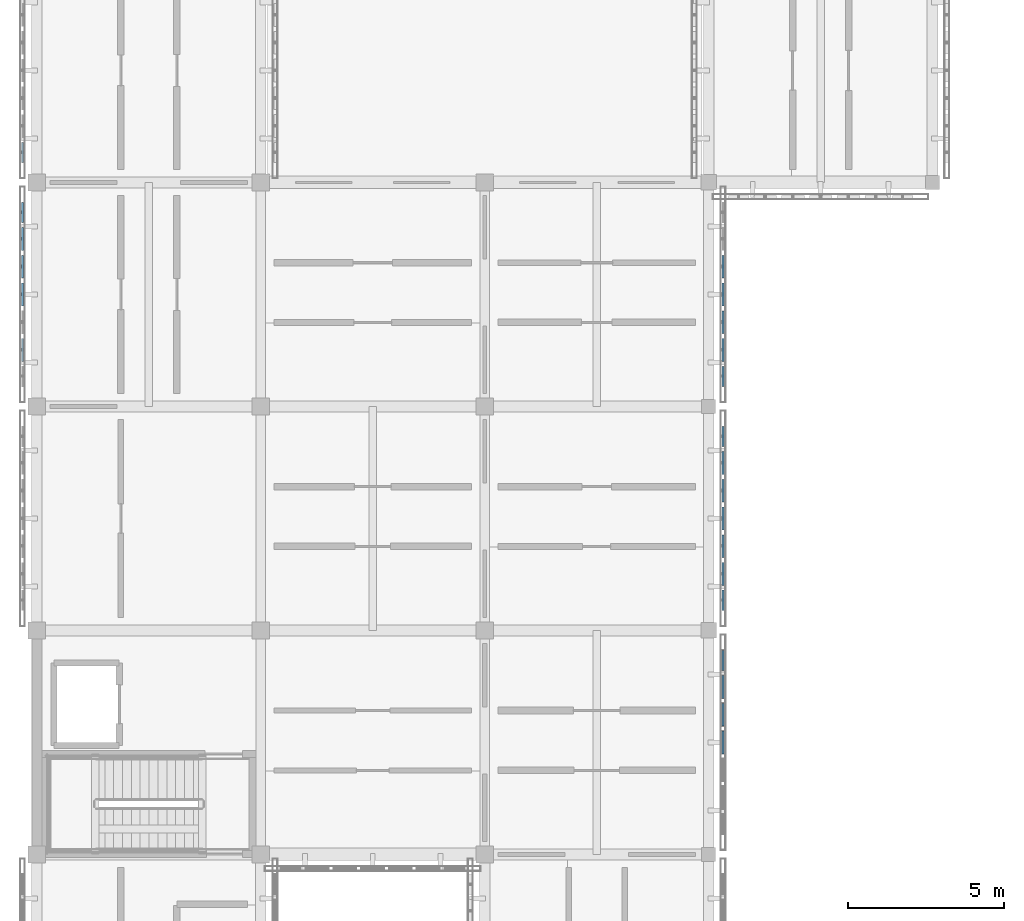
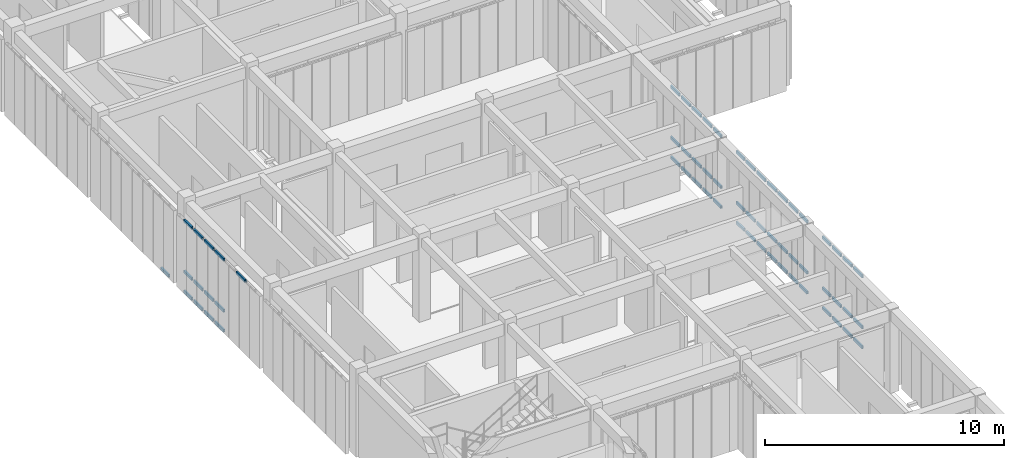
# One storey, part 21 of 91: 62 members, 5 elements without a shape of their own.
"""IFC4 building model written with IfcOpenShell, lengths in metres."""

from ifc_helpers import new_model, si_unit, direction, frame, origin, origin_2d, place, context, subcontext, project, spatial, hollow_rectangle, extrude, material, material_profile, profile_set, type_object, element, aggregate, save


model = new_model("IFC4")

# Units and contexts
model_context = context("Model", 3, precision=1e-05, world=origin(), true_north=direction((0.0, 1.0)))
body_context = subcontext(model_context, "Body", "Model", "MODEL_VIEW")
ifc_project = project(units=[si_unit("LENGTHUNIT", "METRE"), si_unit("AREAUNIT", "SQUARE_METRE"), si_unit("VOLUMEUNIT", "CUBIC_METRE"), si_unit("PLANEANGLEUNIT", "RADIAN"), si_unit("MASSUNIT", "GRAM", prefix="KILO")], contexts=[model_context])

# Site, building, storey
site_placement = place(None, origin())
site = spatial("IfcSite", under=ifc_project, at=site_placement, CompositionType="ELEMENT")
building_placement = place(site_placement, origin())
building = spatial("IfcBuilding", under=site, at=building_placement, Name="Aldebral Square Health Centre", CompositionType="ELEMENT")
storey_placement = place(building_placement, frame((0.0, 0.0, 9.0)))
storey = spatial("IfcBuildingStorey", under=building, at=storey_placement, Name="L02", CompositionType="ELEMENT", Elevation=9.0)

# Curtain wall, members
ifc_material_1 = material(Name="Aluminium and low-E solar glass", Category="aluminium")
curtain_wall_type = type_object("IfcCurtainWallType", Name="CW-FIN-SYS", PredefinedType="USERDEFINED", material=ifc_material_1)
curtain_wall_1_placement = place(storey_placement, origin())
curtain_wall_1 = element("IfcCurtainWall", 1, at=curtain_wall_1_placement, inside=storey, type_object=curtain_wall_type, Name="L02 V6 finned curtain wall L02-V6-00-06-W", ObjectType="SOLAR_CURTAIN_WALL", PredefinedType="USERDEFINED")
ifc_material_2 = material(Name="Anodised aluminium transom", Category="aluminium")
ifc_material_profile = material_profile(ifc_material_2, hollow_rectangle(XDim=0.074951171875, YDim=0.14990234375, WallThickness=0.00390625, at=origin_2d()), Name="CWT 75x150x4")
ifc_profile_set = profile_set([ifc_material_profile], Name="Anodised aluminium transom")
member_type = type_object("IfcMemberType", Name="CWT-STD", PredefinedType="USERDEFINED", material=ifc_profile_set)
member_1_placement = place(storey_placement, frame((-0.4599609375, 49.760009765625, 0.03759765625), z_axis=(0.0, -1.0, 0.0), x_axis=(1.0, 0.0, 0.0)))
member_1 = element("IfcMember", 2, at=member_1_placement, type_object=member_type, Name="CW1 transom 1.1", ObjectType="TRANSOM", PredefinedType="USERDEFINED", context=body_context, shape_type="SweptSolid", body=[
    extrude(hollow_rectangle(XDim=0.074951171875, YDim=0.14990234375, WallThickness=0.00390625, at=origin_2d()), origin(), (0.0, 0.0, 1.0), 0.6513671875),
])
member_2_placement = place(storey_placement, frame((-0.4599609375, 49.760009765625, 1.050048828125), z_axis=(0.0, -1.0, 0.0), x_axis=(1.0, 0.0, 0.0)))
member_2 = element("IfcMember", 3, at=member_2_placement, type_object=member_type, Name="CW1 transom 1.2", ObjectType="TRANSOM", PredefinedType="USERDEFINED", context=body_context, shape_type="SweptSolid", body=[
    extrude(hollow_rectangle(XDim=0.074951171875, YDim=0.14990234375, WallThickness=0.00390625, at=origin_2d()), origin(), (0.0, 0.0, 1.0), 0.6513671875),
])
member_3_placement = place(storey_placement, frame((-0.4599609375, 49.760009765625, 3.652587890625), z_axis=(0.0, -1.0, 0.0), x_axis=(1.0, 0.0, 0.0)))
member_3 = element("IfcMember", 4, at=member_3_placement, type_object=member_type, Name="CW1 transom 1.3", ObjectType="TRANSOM", PredefinedType="USERDEFINED", context=body_context, shape_type="SweptSolid", body=[
    extrude(hollow_rectangle(XDim=0.074951171875, YDim=0.14990234375, WallThickness=0.00390625, at=origin_2d()), origin(), (0.0, 0.0, 1.0), 0.6513671875),
])
member_4_placement = place(storey_placement, frame((-0.4599609375, 48.948486328125, 0.03759765625), z_axis=(0.0, -1.0, 0.0), x_axis=(1.0, 0.0, 0.0)))
member_4 = element("IfcMember", 5, at=member_4_placement, type_object=member_type, Name="CW1 transom 2.1", ObjectType="TRANSOM", PredefinedType="USERDEFINED", context=body_context, shape_type="SweptSolid", body=[
    extrude(hollow_rectangle(XDim=0.074951171875, YDim=0.14990234375, WallThickness=0.00390625, at=origin_2d()), origin(), (0.0, 0.0, 1.0), 0.7314453125),
])
member_5_placement = place(storey_placement, frame((-0.4599609375, 48.948486328125, 1.050048828125), z_axis=(0.0, -1.0, 0.0), x_axis=(1.0, 0.0, 0.0)))
member_5 = element("IfcMember", 6, at=member_5_placement, type_object=member_type, Name="CW1 transom 2.2", ObjectType="TRANSOM", PredefinedType="USERDEFINED", context=body_context, shape_type="SweptSolid", body=[
    extrude(hollow_rectangle(XDim=0.074951171875, YDim=0.14990234375, WallThickness=0.00390625, at=origin_2d()), origin(), (0.0, 0.0, 1.0), 0.7314453125),
])
member_6_placement = place(storey_placement, frame((-0.4599609375, 48.948486328125, 3.652587890625), z_axis=(0.0, -1.0, 0.0), x_axis=(1.0, 0.0, 0.0)))
member_6 = element("IfcMember", 7, at=member_6_placement, type_object=member_type, Name="CW1 transom 2.3", ObjectType="TRANSOM", PredefinedType="USERDEFINED", context=body_context, shape_type="SweptSolid", body=[
    extrude(hollow_rectangle(XDim=0.074951171875, YDim=0.14990234375, WallThickness=0.00390625, at=origin_2d()), origin(), (0.0, 0.0, 1.0), 0.7314453125),
])
member_7_placement = place(storey_placement, frame((-0.4599609375, 48.05712890625, 0.03759765625), z_axis=(0.0, -1.0, 0.0), x_axis=(1.0, 0.0, 0.0)))
member_7 = element("IfcMember", 8, at=member_7_placement, type_object=member_type, Name="CW1 transom 3.1", ObjectType="TRANSOM", PredefinedType="USERDEFINED", context=body_context, shape_type="SweptSolid", body=[
    extrude(hollow_rectangle(XDim=0.074951171875, YDim=0.14990234375, WallThickness=0.00390625, at=origin_2d()), origin(), (0.0, 0.0, 1.0), 0.7314453125),
])
member_8_placement = place(storey_placement, frame((-0.4599609375, 48.05712890625, 1.050048828125), z_axis=(0.0, -1.0, 0.0), x_axis=(1.0, 0.0, 0.0)))
member_8 = element("IfcMember", 9, at=member_8_placement, type_object=member_type, Name="CW1 transom 3.2", ObjectType="TRANSOM", PredefinedType="USERDEFINED", context=body_context, shape_type="SweptSolid", body=[
    extrude(hollow_rectangle(XDim=0.074951171875, YDim=0.14990234375, WallThickness=0.00390625, at=origin_2d()), origin(), (0.0, 0.0, 1.0), 0.7314453125),
])
member_9_placement = place(storey_placement, frame((-0.4599609375, 48.05712890625, 3.652587890625), z_axis=(0.0, -1.0, 0.0), x_axis=(1.0, 0.0, 0.0)))
member_9 = element("IfcMember", 10, at=member_9_placement, type_object=member_type, Name="CW1 transom 3.3", ObjectType="TRANSOM", PredefinedType="USERDEFINED", context=body_context, shape_type="SweptSolid", body=[
    extrude(hollow_rectangle(XDim=0.074951171875, YDim=0.14990234375, WallThickness=0.00390625, at=origin_2d()), origin(), (0.0, 0.0, 1.0), 0.7314453125),
])
member_10_placement = place(storey_placement, frame((-0.4599609375, 47.165771484375, 0.03759765625), z_axis=(0.0, -1.0, 0.0), x_axis=(1.0, 0.0, 0.0)))
member_10 = element("IfcMember", 11, at=member_10_placement, type_object=member_type, Name="CW1 transom 4.1", ObjectType="TRANSOM", PredefinedType="USERDEFINED", context=body_context, shape_type="SweptSolid", body=[
    extrude(hollow_rectangle(XDim=0.074951171875, YDim=0.14990234375, WallThickness=0.00390625, at=origin_2d()), origin(), (0.0, 0.0, 1.0), 0.7314453125),
])
member_11_placement = place(storey_placement, frame((-0.4599609375, 47.165771484375, 1.050048828125), z_axis=(0.0, -1.0, 0.0), x_axis=(1.0, 0.0, 0.0)))
member_11 = element("IfcMember", 12, at=member_11_placement, type_object=member_type, Name="CW1 transom 4.2", ObjectType="TRANSOM", PredefinedType="USERDEFINED", context=body_context, shape_type="SweptSolid", body=[
    extrude(hollow_rectangle(XDim=0.074951171875, YDim=0.14990234375, WallThickness=0.00390625, at=origin_2d()), origin(), (0.0, 0.0, 1.0), 0.7314453125),
])
member_12_placement = place(storey_placement, frame((-0.4599609375, 47.165771484375, 3.652587890625), z_axis=(0.0, -1.0, 0.0), x_axis=(1.0, 0.0, 0.0)))
member_12 = element("IfcMember", 13, at=member_12_placement, type_object=member_type, Name="CW1 transom 4.3", ObjectType="TRANSOM", PredefinedType="USERDEFINED", context=body_context, shape_type="SweptSolid", body=[
    extrude(hollow_rectangle(XDim=0.074951171875, YDim=0.14990234375, WallThickness=0.00390625, at=origin_2d()), origin(), (0.0, 0.0, 1.0), 0.7314453125),
])
member_13_placement = place(storey_placement, frame((-0.4599609375, 45.3828125, 3.652587890625), z_axis=(0.0, -1.0, 0.0), x_axis=(1.0, 0.0, 0.0)))
member_13 = element("IfcMember", 14, at=member_13_placement, type_object=member_type, Name="CW1 transom 6.3", ObjectType="TRANSOM", PredefinedType="USERDEFINED", context=body_context, shape_type="SweptSolid", body=[
    extrude(hollow_rectangle(XDim=0.074951171875, YDim=0.14990234375, WallThickness=0.00390625, at=origin_2d()), origin(), (0.0, 0.0, 1.0), 0.7314453125),
])
aggregate(curtain_wall_1, [member_1, member_2, member_3, member_4, member_5, member_6, member_7, member_8, member_9, member_10, member_11, member_12, member_13])

# Curtain wall, member
curtain_wall_2_placement = place(storey_placement, origin())
curtain_wall_2 = element("IfcCurtainWall", 15, at=curtain_wall_2_placement, inside=storey, type_object=curtain_wall_type, Name="L02 V4 finned curtain wall L02-V4-00-07-W", ObjectType="SOLAR_CURTAIN_WALL", PredefinedType="USERDEFINED")
member_14_placement = place(storey_placement, frame((-0.4599609375, 51.69140625, 0.03759765625), z_axis=(0.0, -1.0, 0.0), x_axis=(1.0, 0.0, 0.0)))
member_14 = element("IfcMember", 16, at=member_14_placement, type_object=member_type, Name="CW1 transom 7.1", ObjectType="TRANSOM", PredefinedType="USERDEFINED", context=body_context, shape_type="SweptSolid", body=[
    extrude(hollow_rectangle(XDim=0.074951171875, YDim=0.14990234375, WallThickness=0.00390625, at=origin_2d()), origin(), (0.0, 0.0, 1.0), 0.6513671875),
])
aggregate(curtain_wall_2, [member_14])

# Curtain wall, members
curtain_wall_3_placement = place(storey_placement, origin())
curtain_wall_3 = element("IfcCurtainWall", 17, at=curtain_wall_3_placement, inside=storey, type_object=curtain_wall_type, Name="L02 V6 finned curtain wall L02-V6-02-04-E", ObjectType="SOLAR_CURTAIN_WALL", PredefinedType="USERDEFINED")
member_15_placement = place(storey_placement, frame((22.06005859375, 32.0341796875, 0.03759765625), z_axis=(0.0, 1.0, 0.0), x_axis=(-1.0, 0.0, 0.0)))
member_15 = element("IfcMember", 18, at=member_15_placement, type_object=member_type, Name="CW1 transom 4.1", ObjectType="TRANSOM", PredefinedType="USERDEFINED", context=body_context, shape_type="SweptSolid", body=[
    extrude(hollow_rectangle(XDim=0.074951171875, YDim=0.14990234375, WallThickness=0.00390625, at=origin_2d()), origin(), (0.0, 0.0, 1.0), 0.7314453125),
])
member_16_placement = place(storey_placement, frame((22.06005859375, 32.0341796875, 1.050048828125), z_axis=(0.0, 1.0, 0.0), x_axis=(-1.0, 0.0, 0.0)))
member_16 = element("IfcMember", 19, at=member_16_placement, type_object=member_type, Name="CW1 transom 4.2", ObjectType="TRANSOM", PredefinedType="USERDEFINED", context=body_context, shape_type="SweptSolid", body=[
    extrude(hollow_rectangle(XDim=0.074951171875, YDim=0.14990234375, WallThickness=0.00390625, at=origin_2d()), origin(), (0.0, 0.0, 1.0), 0.7314453125),
])
member_17_placement = place(storey_placement, frame((22.06005859375, 32.0341796875, 3.652587890625), z_axis=(0.0, 1.0, 0.0), x_axis=(-1.0, 0.0, 0.0)))
member_17 = element("IfcMember", 20, at=member_17_placement, type_object=member_type, Name="CW1 transom 4.3", ObjectType="TRANSOM", PredefinedType="USERDEFINED", context=body_context, shape_type="SweptSolid", body=[
    extrude(hollow_rectangle(XDim=0.074951171875, YDim=0.14990234375, WallThickness=0.00390625, at=origin_2d()), origin(), (0.0, 0.0, 1.0), 0.7314453125),
])
member_18_placement = place(storey_placement, frame((22.06005859375, 32.92578125, 0.03759765625), z_axis=(0.0, 1.0, 0.0), x_axis=(-1.0, 0.0, 0.0)))
member_18 = element("IfcMember", 21, at=member_18_placement, type_object=member_type, Name="CW1 transom 5.1", ObjectType="TRANSOM", PredefinedType="USERDEFINED", context=body_context, shape_type="SweptSolid", body=[
    extrude(hollow_rectangle(XDim=0.074951171875, YDim=0.14990234375, WallThickness=0.00390625, at=origin_2d()), origin(), (0.0, 0.0, 1.0), 0.7314453125),
])
member_19_placement = place(storey_placement, frame((22.06005859375, 32.92578125, 1.050048828125), z_axis=(0.0, 1.0, 0.0), x_axis=(-1.0, 0.0, 0.0)))
member_19 = element("IfcMember", 22, at=member_19_placement, type_object=member_type, Name="CW1 transom 5.2", ObjectType="TRANSOM", PredefinedType="USERDEFINED", context=body_context, shape_type="SweptSolid", body=[
    extrude(hollow_rectangle(XDim=0.074951171875, YDim=0.14990234375, WallThickness=0.00390625, at=origin_2d()), origin(), (0.0, 0.0, 1.0), 0.7314453125),
])
member_20_placement = place(storey_placement, frame((22.06005859375, 32.92578125, 3.652587890625), z_axis=(0.0, 1.0, 0.0), x_axis=(-1.0, 0.0, 0.0)))
member_20 = element("IfcMember", 23, at=member_20_placement, type_object=member_type, Name="CW1 transom 5.3", ObjectType="TRANSOM", PredefinedType="USERDEFINED", context=body_context, shape_type="SweptSolid", body=[
    extrude(hollow_rectangle(XDim=0.074951171875, YDim=0.14990234375, WallThickness=0.00390625, at=origin_2d()), origin(), (0.0, 0.0, 1.0), 0.7314453125),
])
member_21_placement = place(storey_placement, frame((22.06005859375, 33.817138671875, 0.03759765625), z_axis=(0.0, 1.0, 0.0), x_axis=(-1.0, 0.0, 0.0)))
member_21 = element("IfcMember", 24, at=member_21_placement, type_object=member_type, Name="CW1 transom 6.1", ObjectType="TRANSOM", PredefinedType="USERDEFINED", context=body_context, shape_type="SweptSolid", body=[
    extrude(hollow_rectangle(XDim=0.074951171875, YDim=0.14990234375, WallThickness=0.00390625, at=origin_2d()), origin(), (0.0, 0.0, 1.0), 0.7314453125),
])
member_22_placement = place(storey_placement, frame((22.06005859375, 33.817138671875, 1.050048828125), z_axis=(0.0, 1.0, 0.0), x_axis=(-1.0, 0.0, 0.0)))
member_22 = element("IfcMember", 25, at=member_22_placement, type_object=member_type, Name="CW1 transom 6.2", ObjectType="TRANSOM", PredefinedType="USERDEFINED", context=body_context, shape_type="SweptSolid", body=[
    extrude(hollow_rectangle(XDim=0.074951171875, YDim=0.14990234375, WallThickness=0.00390625, at=origin_2d()), origin(), (0.0, 0.0, 1.0), 0.7314453125),
])
member_23_placement = place(storey_placement, frame((22.06005859375, 33.817138671875, 3.652587890625), z_axis=(0.0, 1.0, 0.0), x_axis=(-1.0, 0.0, 0.0)))
member_23 = element("IfcMember", 26, at=member_23_placement, type_object=member_type, Name="CW1 transom 6.3", ObjectType="TRANSOM", PredefinedType="USERDEFINED", context=body_context, shape_type="SweptSolid", body=[
    extrude(hollow_rectangle(XDim=0.074951171875, YDim=0.14990234375, WallThickness=0.00390625, at=origin_2d()), origin(), (0.0, 0.0, 1.0), 0.7314453125),
])
member_24_placement = place(storey_placement, frame((22.06005859375, 34.70849609375, 0.03759765625), z_axis=(0.0, 1.0, 0.0), x_axis=(-1.0, 0.0, 0.0)))
member_24 = element("IfcMember", 27, at=member_24_placement, type_object=member_type, Name="CW1 transom 7.1", ObjectType="TRANSOM", PredefinedType="USERDEFINED", context=body_context, shape_type="SweptSolid", body=[
    extrude(hollow_rectangle(XDim=0.074951171875, YDim=0.14990234375, WallThickness=0.00390625, at=origin_2d()), origin(), (0.0, 0.0, 1.0), 0.651611328125),
])
member_25_placement = place(storey_placement, frame((22.06005859375, 34.70849609375, 1.050048828125), z_axis=(0.0, 1.0, 0.0), x_axis=(-1.0, 0.0, 0.0)))
member_25 = element("IfcMember", 28, at=member_25_placement, type_object=member_type, Name="CW1 transom 7.2", ObjectType="TRANSOM", PredefinedType="USERDEFINED", context=body_context, shape_type="SweptSolid", body=[
    extrude(hollow_rectangle(XDim=0.074951171875, YDim=0.14990234375, WallThickness=0.00390625, at=origin_2d()), origin(), (0.0, 0.0, 1.0), 0.651611328125),
])
member_26_placement = place(storey_placement, frame((22.06005859375, 34.70849609375, 3.652587890625), z_axis=(0.0, 1.0, 0.0), x_axis=(-1.0, 0.0, 0.0)))
member_26 = element("IfcMember", 29, at=member_26_placement, type_object=member_type, Name="CW1 transom 7.3", ObjectType="TRANSOM", PredefinedType="USERDEFINED", context=body_context, shape_type="SweptSolid", body=[
    extrude(hollow_rectangle(XDim=0.074951171875, YDim=0.14990234375, WallThickness=0.00390625, at=origin_2d()), origin(), (0.0, 0.0, 1.0), 0.651611328125),
])
aggregate(curtain_wall_3, [member_15, member_16, member_17, member_18, member_19, member_20, member_21, member_22, member_23, member_24, member_25, member_26])

curtain_wall_4_placement = place(storey_placement, origin())
curtain_wall_4 = element("IfcCurtainWall", 30, at=curtain_wall_4_placement, inside=storey, type_object=curtain_wall_type, Name="L02 V6 finned curtain wall L02-V6-02-05-E", ObjectType="SOLAR_CURTAIN_WALL", PredefinedType="USERDEFINED")
member_27_placement = place(storey_placement, frame((22.06005859375, 36.639892578125, 0.03759765625), z_axis=(0.0, 1.0, 0.0), x_axis=(-1.0, 0.0, 0.0)))
member_27 = element("IfcMember", 31, at=member_27_placement, type_object=member_type, Name="CW1 transom 1.1", ObjectType="TRANSOM", PredefinedType="USERDEFINED", context=body_context, shape_type="SweptSolid", body=[
    extrude(hollow_rectangle(XDim=0.074951171875, YDim=0.14990234375, WallThickness=0.00390625, at=origin_2d()), origin(), (0.0, 0.0, 1.0), 0.651611328125),
])
member_28_placement = place(storey_placement, frame((22.06005859375, 36.639892578125, 1.050048828125), z_axis=(0.0, 1.0, 0.0), x_axis=(-1.0, 0.0, 0.0)))
member_28 = element("IfcMember", 32, at=member_28_placement, type_object=member_type, Name="CW1 transom 1.2", ObjectType="TRANSOM", PredefinedType="USERDEFINED", context=body_context, shape_type="SweptSolid", body=[
    extrude(hollow_rectangle(XDim=0.074951171875, YDim=0.14990234375, WallThickness=0.00390625, at=origin_2d()), origin(), (0.0, 0.0, 1.0), 0.651611328125),
])
member_29_placement = place(storey_placement, frame((22.06005859375, 36.639892578125, 3.652587890625), z_axis=(0.0, 1.0, 0.0), x_axis=(-1.0, 0.0, 0.0)))
member_29 = element("IfcMember", 33, at=member_29_placement, type_object=member_type, Name="CW1 transom 1.3", ObjectType="TRANSOM", PredefinedType="USERDEFINED", context=body_context, shape_type="SweptSolid", body=[
    extrude(hollow_rectangle(XDim=0.074951171875, YDim=0.14990234375, WallThickness=0.00390625, at=origin_2d()), origin(), (0.0, 0.0, 1.0), 0.651611328125),
])
member_30_placement = place(storey_placement, frame((22.06005859375, 37.451416015625, 0.03759765625), z_axis=(0.0, 1.0, 0.0), x_axis=(-1.0, 0.0, 0.0)))
member_30 = element("IfcMember", 34, at=member_30_placement, type_object=member_type, Name="CW1 transom 2.1", ObjectType="TRANSOM", PredefinedType="USERDEFINED", context=body_context, shape_type="SweptSolid", body=[
    extrude(hollow_rectangle(XDim=0.074951171875, YDim=0.14990234375, WallThickness=0.00390625, at=origin_2d()), origin(), (0.0, 0.0, 1.0), 0.7314453125),
])
member_31_placement = place(storey_placement, frame((22.06005859375, 37.451416015625, 1.050048828125), z_axis=(0.0, 1.0, 0.0), x_axis=(-1.0, 0.0, 0.0)))
member_31 = element("IfcMember", 35, at=member_31_placement, type_object=member_type, Name="CW1 transom 2.2", ObjectType="TRANSOM", PredefinedType="USERDEFINED", context=body_context, shape_type="SweptSolid", body=[
    extrude(hollow_rectangle(XDim=0.074951171875, YDim=0.14990234375, WallThickness=0.00390625, at=origin_2d()), origin(), (0.0, 0.0, 1.0), 0.7314453125),
])
member_32_placement = place(storey_placement, frame((22.06005859375, 37.451416015625, 3.652587890625), z_axis=(0.0, 1.0, 0.0), x_axis=(-1.0, 0.0, 0.0)))
member_32 = element("IfcMember", 36, at=member_32_placement, type_object=member_type, Name="CW1 transom 2.3", ObjectType="TRANSOM", PredefinedType="USERDEFINED", context=body_context, shape_type="SweptSolid", body=[
    extrude(hollow_rectangle(XDim=0.074951171875, YDim=0.14990234375, WallThickness=0.00390625, at=origin_2d()), origin(), (0.0, 0.0, 1.0), 0.7314453125),
])
member_33_placement = place(storey_placement, frame((22.06005859375, 38.3427734375, 0.03759765625), z_axis=(0.0, 1.0, 0.0), x_axis=(-1.0, 0.0, 0.0)))
member_33 = element("IfcMember", 37, at=member_33_placement, type_object=member_type, Name="CW1 transom 3.1", ObjectType="TRANSOM", PredefinedType="USERDEFINED", context=body_context, shape_type="SweptSolid", body=[
    extrude(hollow_rectangle(XDim=0.074951171875, YDim=0.14990234375, WallThickness=0.00390625, at=origin_2d()), origin(), (0.0, 0.0, 1.0), 0.7314453125),
])
member_34_placement = place(storey_placement, frame((22.06005859375, 38.3427734375, 1.050048828125), z_axis=(0.0, 1.0, 0.0), x_axis=(-1.0, 0.0, 0.0)))
member_34 = element("IfcMember", 38, at=member_34_placement, type_object=member_type, Name="CW1 transom 3.2", ObjectType="TRANSOM", PredefinedType="USERDEFINED", context=body_context, shape_type="SweptSolid", body=[
    extrude(hollow_rectangle(XDim=0.074951171875, YDim=0.14990234375, WallThickness=0.00390625, at=origin_2d()), origin(), (0.0, 0.0, 1.0), 0.7314453125),
])
member_35_placement = place(storey_placement, frame((22.06005859375, 38.3427734375, 3.652587890625), z_axis=(0.0, 1.0, 0.0), x_axis=(-1.0, 0.0, 0.0)))
member_35 = element("IfcMember", 39, at=member_35_placement, type_object=member_type, Name="CW1 transom 3.3", ObjectType="TRANSOM", PredefinedType="USERDEFINED", context=body_context, shape_type="SweptSolid", body=[
    extrude(hollow_rectangle(XDim=0.074951171875, YDim=0.14990234375, WallThickness=0.00390625, at=origin_2d()), origin(), (0.0, 0.0, 1.0), 0.7314453125),
])
member_36_placement = place(storey_placement, frame((22.06005859375, 39.234375, 0.03759765625), z_axis=(0.0, 1.0, 0.0), x_axis=(-1.0, 0.0, 0.0)))
member_36 = element("IfcMember", 40, at=member_36_placement, type_object=member_type, Name="CW1 transom 4.1", ObjectType="TRANSOM", PredefinedType="USERDEFINED", context=body_context, shape_type="SweptSolid", body=[
    extrude(hollow_rectangle(XDim=0.074951171875, YDim=0.14990234375, WallThickness=0.00390625, at=origin_2d()), origin(), (0.0, 0.0, 1.0), 0.7314453125),
])
member_37_placement = place(storey_placement, frame((22.06005859375, 39.234375, 1.050048828125), z_axis=(0.0, 1.0, 0.0), x_axis=(-1.0, 0.0, 0.0)))
member_37 = element("IfcMember", 41, at=member_37_placement, type_object=member_type, Name="CW1 transom 4.2", ObjectType="TRANSOM", PredefinedType="USERDEFINED", context=body_context, shape_type="SweptSolid", body=[
    extrude(hollow_rectangle(XDim=0.074951171875, YDim=0.14990234375, WallThickness=0.00390625, at=origin_2d()), origin(), (0.0, 0.0, 1.0), 0.7314453125),
])
member_38_placement = place(storey_placement, frame((22.06005859375, 39.234375, 3.652587890625), z_axis=(0.0, 1.0, 0.0), x_axis=(-1.0, 0.0, 0.0)))
member_38 = element("IfcMember", 42, at=member_38_placement, type_object=member_type, Name="CW1 transom 4.3", ObjectType="TRANSOM", PredefinedType="USERDEFINED", context=body_context, shape_type="SweptSolid", body=[
    extrude(hollow_rectangle(XDim=0.074951171875, YDim=0.14990234375, WallThickness=0.00390625, at=origin_2d()), origin(), (0.0, 0.0, 1.0), 0.7314453125),
])
member_39_placement = place(storey_placement, frame((22.06005859375, 40.125732421875, 0.03759765625), z_axis=(0.0, 1.0, 0.0), x_axis=(-1.0, 0.0, 0.0)))
member_39 = element("IfcMember", 43, at=member_39_placement, type_object=member_type, Name="CW1 transom 5.1", ObjectType="TRANSOM", PredefinedType="USERDEFINED", context=body_context, shape_type="SweptSolid", body=[
    extrude(hollow_rectangle(XDim=0.074951171875, YDim=0.14990234375, WallThickness=0.00390625, at=origin_2d()), origin(), (0.0, 0.0, 1.0), 0.7314453125),
])
member_40_placement = place(storey_placement, frame((22.06005859375, 40.125732421875, 1.050048828125), z_axis=(0.0, 1.0, 0.0), x_axis=(-1.0, 0.0, 0.0)))
member_40 = element("IfcMember", 44, at=member_40_placement, type_object=member_type, Name="CW1 transom 5.2", ObjectType="TRANSOM", PredefinedType="USERDEFINED", context=body_context, shape_type="SweptSolid", body=[
    extrude(hollow_rectangle(XDim=0.074951171875, YDim=0.14990234375, WallThickness=0.00390625, at=origin_2d()), origin(), (0.0, 0.0, 1.0), 0.7314453125),
])
member_41_placement = place(storey_placement, frame((22.06005859375, 40.125732421875, 3.652587890625), z_axis=(0.0, 1.0, 0.0), x_axis=(-1.0, 0.0, 0.0)))
member_41 = element("IfcMember", 45, at=member_41_placement, type_object=member_type, Name="CW1 transom 5.3", ObjectType="TRANSOM", PredefinedType="USERDEFINED", context=body_context, shape_type="SweptSolid", body=[
    extrude(hollow_rectangle(XDim=0.074951171875, YDim=0.14990234375, WallThickness=0.00390625, at=origin_2d()), origin(), (0.0, 0.0, 1.0), 0.7314453125),
])
member_42_placement = place(storey_placement, frame((22.06005859375, 41.01708984375, 0.03759765625), z_axis=(0.0, 1.0, 0.0), x_axis=(-1.0, 0.0, 0.0)))
member_42 = element("IfcMember", 46, at=member_42_placement, type_object=member_type, Name="CW1 transom 6.1", ObjectType="TRANSOM", PredefinedType="USERDEFINED", context=body_context, shape_type="SweptSolid", body=[
    extrude(hollow_rectangle(XDim=0.074951171875, YDim=0.14990234375, WallThickness=0.00390625, at=origin_2d()), origin(), (0.0, 0.0, 1.0), 0.7314453125),
])
member_43_placement = place(storey_placement, frame((22.06005859375, 41.01708984375, 1.050048828125), z_axis=(0.0, 1.0, 0.0), x_axis=(-1.0, 0.0, 0.0)))
member_43 = element("IfcMember", 47, at=member_43_placement, type_object=member_type, Name="CW1 transom 6.2", ObjectType="TRANSOM", PredefinedType="USERDEFINED", context=body_context, shape_type="SweptSolid", body=[
    extrude(hollow_rectangle(XDim=0.074951171875, YDim=0.14990234375, WallThickness=0.00390625, at=origin_2d()), origin(), (0.0, 0.0, 1.0), 0.7314453125),
])
member_44_placement = place(storey_placement, frame((22.06005859375, 41.01708984375, 3.652587890625), z_axis=(0.0, 1.0, 0.0), x_axis=(-1.0, 0.0, 0.0)))
member_44 = element("IfcMember", 48, at=member_44_placement, type_object=member_type, Name="CW1 transom 6.3", ObjectType="TRANSOM", PredefinedType="USERDEFINED", context=body_context, shape_type="SweptSolid", body=[
    extrude(hollow_rectangle(XDim=0.074951171875, YDim=0.14990234375, WallThickness=0.00390625, at=origin_2d()), origin(), (0.0, 0.0, 1.0), 0.7314453125),
])
member_45_placement = place(storey_placement, frame((22.06005859375, 41.90869140625, 0.03759765625), z_axis=(0.0, 1.0, 0.0), x_axis=(-1.0, 0.0, 0.0)))
member_45 = element("IfcMember", 49, at=member_45_placement, type_object=member_type, Name="CW1 transom 7.1", ObjectType="TRANSOM", PredefinedType="USERDEFINED", context=body_context, shape_type="SweptSolid", body=[
    extrude(hollow_rectangle(XDim=0.074951171875, YDim=0.14990234375, WallThickness=0.00390625, at=origin_2d()), origin(), (0.0, 0.0, 1.0), 0.6513671875),
])
member_46_placement = place(storey_placement, frame((22.06005859375, 41.90869140625, 1.050048828125), z_axis=(0.0, 1.0, 0.0), x_axis=(-1.0, 0.0, 0.0)))
member_46 = element("IfcMember", 50, at=member_46_placement, type_object=member_type, Name="CW1 transom 7.2", ObjectType="TRANSOM", PredefinedType="USERDEFINED", context=body_context, shape_type="SweptSolid", body=[
    extrude(hollow_rectangle(XDim=0.074951171875, YDim=0.14990234375, WallThickness=0.00390625, at=origin_2d()), origin(), (0.0, 0.0, 1.0), 0.6513671875),
])
member_47_placement = place(storey_placement, frame((22.06005859375, 41.90869140625, 3.652587890625), z_axis=(0.0, 1.0, 0.0), x_axis=(-1.0, 0.0, 0.0)))
member_47 = element("IfcMember", 51, at=member_47_placement, type_object=member_type, Name="CW1 transom 7.3", ObjectType="TRANSOM", PredefinedType="USERDEFINED", context=body_context, shape_type="SweptSolid", body=[
    extrude(hollow_rectangle(XDim=0.074951171875, YDim=0.14990234375, WallThickness=0.00390625, at=origin_2d()), origin(), (0.0, 0.0, 1.0), 0.6513671875),
])
aggregate(curtain_wall_4, [member_27, member_28, member_29, member_30, member_31, member_32, member_33, member_34, member_35, member_36, member_37, member_38, member_39, member_40, member_41, member_42, member_43, member_44, member_45, member_46, member_47])

curtain_wall_5_placement = place(storey_placement, origin())
curtain_wall_5 = element("IfcCurtainWall", 52, at=curtain_wall_5_placement, inside=storey, type_object=curtain_wall_type, Name="L02 V6 finned curtain wall L02-V6-02-06-E", ObjectType="SOLAR_CURTAIN_WALL", PredefinedType="USERDEFINED")
member_48_placement = place(storey_placement, frame((22.06005859375, 43.840087890625, 0.03759765625), z_axis=(0.0, 1.0, 0.0), x_axis=(-1.0, 0.0, 0.0)))
member_48 = element("IfcMember", 53, at=member_48_placement, type_object=member_type, Name="CW1 transom 1.1", ObjectType="TRANSOM", PredefinedType="USERDEFINED", context=body_context, shape_type="SweptSolid", body=[
    extrude(hollow_rectangle(XDim=0.074951171875, YDim=0.14990234375, WallThickness=0.00390625, at=origin_2d()), origin(), (0.0, 0.0, 1.0), 0.6513671875),
])
member_49_placement = place(storey_placement, frame((22.06005859375, 43.840087890625, 1.050048828125), z_axis=(0.0, 1.0, 0.0), x_axis=(-1.0, 0.0, 0.0)))
member_49 = element("IfcMember", 54, at=member_49_placement, type_object=member_type, Name="CW1 transom 1.2", ObjectType="TRANSOM", PredefinedType="USERDEFINED", context=body_context, shape_type="SweptSolid", body=[
    extrude(hollow_rectangle(XDim=0.074951171875, YDim=0.14990234375, WallThickness=0.00390625, at=origin_2d()), origin(), (0.0, 0.0, 1.0), 0.6513671875),
])
member_50_placement = place(storey_placement, frame((22.06005859375, 43.840087890625, 3.652587890625), z_axis=(0.0, 1.0, 0.0), x_axis=(-1.0, 0.0, 0.0)))
member_50 = element("IfcMember", 55, at=member_50_placement, type_object=member_type, Name="CW1 transom 1.3", ObjectType="TRANSOM", PredefinedType="USERDEFINED", context=body_context, shape_type="SweptSolid", body=[
    extrude(hollow_rectangle(XDim=0.074951171875, YDim=0.14990234375, WallThickness=0.00390625, at=origin_2d()), origin(), (0.0, 0.0, 1.0), 0.6513671875),
])
member_51_placement = place(storey_placement, frame((22.06005859375, 44.6513671875, 0.03759765625), z_axis=(0.0, 1.0, 0.0), x_axis=(-1.0, 0.0, 0.0)))
member_51 = element("IfcMember", 56, at=member_51_placement, type_object=member_type, Name="CW1 transom 2.1", ObjectType="TRANSOM", PredefinedType="USERDEFINED", context=body_context, shape_type="SweptSolid", body=[
    extrude(hollow_rectangle(XDim=0.074951171875, YDim=0.14990234375, WallThickness=0.00390625, at=origin_2d()), origin(), (0.0, 0.0, 1.0), 0.7314453125),
])
member_52_placement = place(storey_placement, frame((22.06005859375, 44.6513671875, 1.050048828125), z_axis=(0.0, 1.0, 0.0), x_axis=(-1.0, 0.0, 0.0)))
member_52 = element("IfcMember", 57, at=member_52_placement, type_object=member_type, Name="CW1 transom 2.2", ObjectType="TRANSOM", PredefinedType="USERDEFINED", context=body_context, shape_type="SweptSolid", body=[
    extrude(hollow_rectangle(XDim=0.074951171875, YDim=0.14990234375, WallThickness=0.00390625, at=origin_2d()), origin(), (0.0, 0.0, 1.0), 0.7314453125),
])
member_53_placement = place(storey_placement, frame((22.06005859375, 44.6513671875, 3.652587890625), z_axis=(0.0, 1.0, 0.0), x_axis=(-1.0, 0.0, 0.0)))
member_53 = element("IfcMember", 58, at=member_53_placement, type_object=member_type, Name="CW1 transom 2.3", ObjectType="TRANSOM", PredefinedType="USERDEFINED", context=body_context, shape_type="SweptSolid", body=[
    extrude(hollow_rectangle(XDim=0.074951171875, YDim=0.14990234375, WallThickness=0.00390625, at=origin_2d()), origin(), (0.0, 0.0, 1.0), 0.7314453125),
])
member_54_placement = place(storey_placement, frame((22.06005859375, 45.54296875, 0.03759765625), z_axis=(0.0, 1.0, 0.0), x_axis=(-1.0, 0.0, 0.0)))
member_54 = element("IfcMember", 59, at=member_54_placement, type_object=member_type, Name="CW1 transom 3.1", ObjectType="TRANSOM", PredefinedType="USERDEFINED", context=body_context, shape_type="SweptSolid", body=[
    extrude(hollow_rectangle(XDim=0.074951171875, YDim=0.14990234375, WallThickness=0.00390625, at=origin_2d()), origin(), (0.0, 0.0, 1.0), 0.731201171875),
])
member_55_placement = place(storey_placement, frame((22.06005859375, 45.54296875, 1.050048828125), z_axis=(0.0, 1.0, 0.0), x_axis=(-1.0, 0.0, 0.0)))
member_55 = element("IfcMember", 60, at=member_55_placement, type_object=member_type, Name="CW1 transom 3.2", ObjectType="TRANSOM", PredefinedType="USERDEFINED", context=body_context, shape_type="SweptSolid", body=[
    extrude(hollow_rectangle(XDim=0.074951171875, YDim=0.14990234375, WallThickness=0.00390625, at=origin_2d()), origin(), (0.0, 0.0, 1.0), 0.731201171875),
])
member_56_placement = place(storey_placement, frame((22.06005859375, 45.54296875, 3.652587890625), z_axis=(0.0, 1.0, 0.0), x_axis=(-1.0, 0.0, 0.0)))
member_56 = element("IfcMember", 61, at=member_56_placement, type_object=member_type, Name="CW1 transom 3.3", ObjectType="TRANSOM", PredefinedType="USERDEFINED", context=body_context, shape_type="SweptSolid", body=[
    extrude(hollow_rectangle(XDim=0.074951171875, YDim=0.14990234375, WallThickness=0.00390625, at=origin_2d()), origin(), (0.0, 0.0, 1.0), 0.731201171875),
])
member_57_placement = place(storey_placement, frame((22.06005859375, 46.434326171875, 0.03759765625), z_axis=(0.0, 1.0, 0.0), x_axis=(-1.0, 0.0, 0.0)))
member_57 = element("IfcMember", 62, at=member_57_placement, type_object=member_type, Name="CW1 transom 4.1", ObjectType="TRANSOM", PredefinedType="USERDEFINED", context=body_context, shape_type="SweptSolid", body=[
    extrude(hollow_rectangle(XDim=0.074951171875, YDim=0.14990234375, WallThickness=0.00390625, at=origin_2d()), origin(), (0.0, 0.0, 1.0), 0.7314453125),
])
member_58_placement = place(storey_placement, frame((22.06005859375, 46.434326171875, 1.050048828125), z_axis=(0.0, 1.0, 0.0), x_axis=(-1.0, 0.0, 0.0)))
member_58 = element("IfcMember", 63, at=member_58_placement, type_object=member_type, Name="CW1 transom 4.2", ObjectType="TRANSOM", PredefinedType="USERDEFINED", context=body_context, shape_type="SweptSolid", body=[
    extrude(hollow_rectangle(XDim=0.074951171875, YDim=0.14990234375, WallThickness=0.00390625, at=origin_2d()), origin(), (0.0, 0.0, 1.0), 0.7314453125),
])
member_59_placement = place(storey_placement, frame((22.06005859375, 46.434326171875, 3.652587890625), z_axis=(0.0, 1.0, 0.0), x_axis=(-1.0, 0.0, 0.0)))
member_59 = element("IfcMember", 64, at=member_59_placement, type_object=member_type, Name="CW1 transom 4.3", ObjectType="TRANSOM", PredefinedType="USERDEFINED", context=body_context, shape_type="SweptSolid", body=[
    extrude(hollow_rectangle(XDim=0.074951171875, YDim=0.14990234375, WallThickness=0.00390625, at=origin_2d()), origin(), (0.0, 0.0, 1.0), 0.7314453125),
])
member_60_placement = place(storey_placement, frame((22.06005859375, 47.32568359375, 0.03759765625), z_axis=(0.0, 1.0, 0.0), x_axis=(-1.0, 0.0, 0.0)))
member_60 = element("IfcMember", 65, at=member_60_placement, type_object=member_type, Name="CW1 transom 5.1", ObjectType="TRANSOM", PredefinedType="USERDEFINED", context=body_context, shape_type="SweptSolid", body=[
    extrude(hollow_rectangle(XDim=0.074951171875, YDim=0.14990234375, WallThickness=0.00390625, at=origin_2d()), origin(), (0.0, 0.0, 1.0), 0.7314453125),
])
member_61_placement = place(storey_placement, frame((22.06005859375, 47.32568359375, 1.050048828125), z_axis=(0.0, 1.0, 0.0), x_axis=(-1.0, 0.0, 0.0)))
member_61 = element("IfcMember", 66, at=member_61_placement, type_object=member_type, Name="CW1 transom 5.2", ObjectType="TRANSOM", PredefinedType="USERDEFINED", context=body_context, shape_type="SweptSolid", body=[
    extrude(hollow_rectangle(XDim=0.074951171875, YDim=0.14990234375, WallThickness=0.00390625, at=origin_2d()), origin(), (0.0, 0.0, 1.0), 0.7314453125),
])
member_62_placement = place(storey_placement, frame((22.06005859375, 47.32568359375, 3.652587890625), z_axis=(0.0, 1.0, 0.0), x_axis=(-1.0, 0.0, 0.0)))
member_62 = element("IfcMember", 67, at=member_62_placement, type_object=member_type, Name="CW1 transom 5.3", ObjectType="TRANSOM", PredefinedType="USERDEFINED", context=body_context, shape_type="SweptSolid", body=[
    extrude(hollow_rectangle(XDim=0.074951171875, YDim=0.14990234375, WallThickness=0.00390625, at=origin_2d()), origin(), (0.0, 0.0, 1.0), 0.7314453125),
])
aggregate(curtain_wall_5, [member_48, member_49, member_50, member_51, member_52, member_53, member_54, member_55, member_56, member_57, member_58, member_59, member_60, member_61, member_62])

save(model, "model.ifc")
